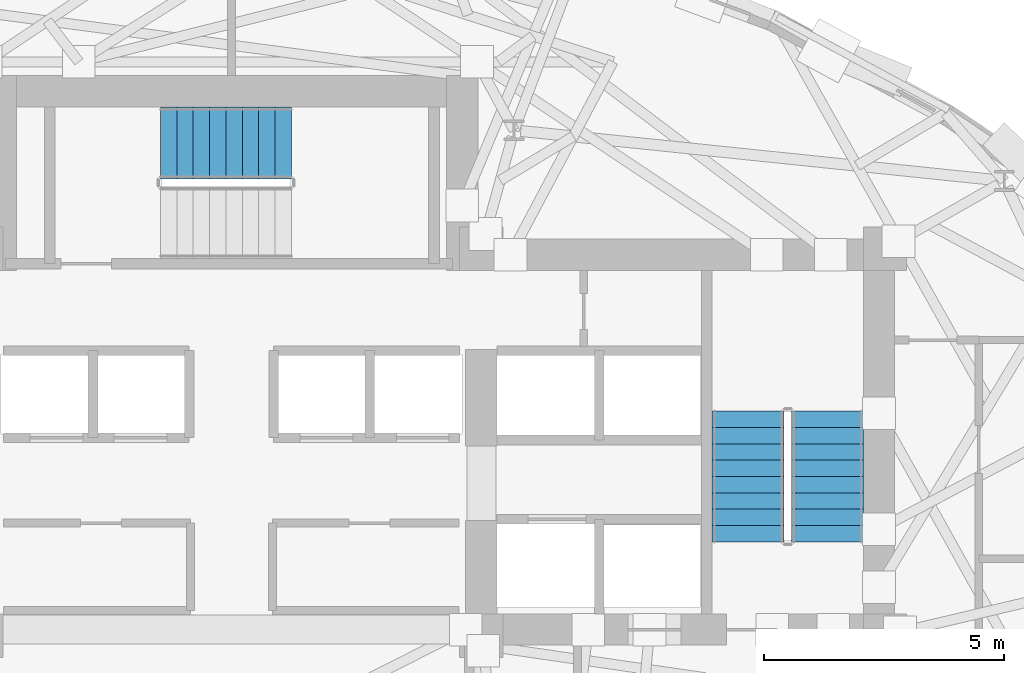
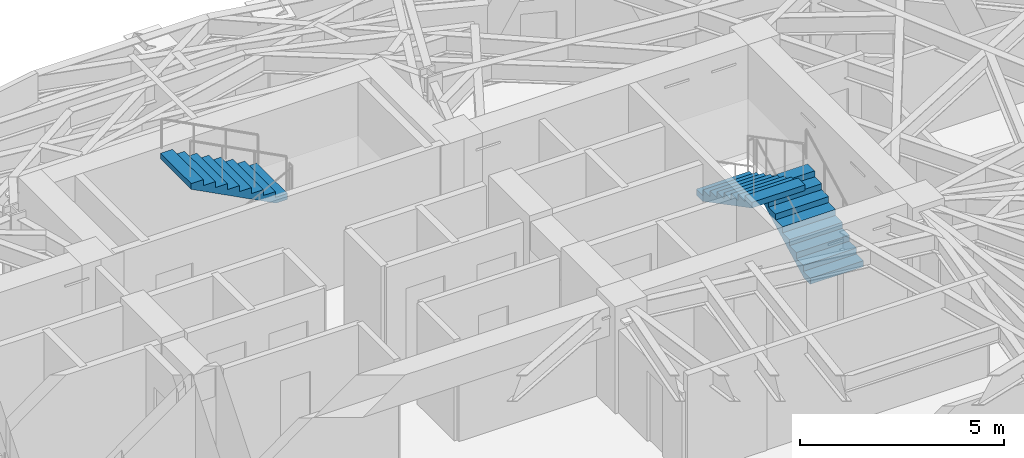
# One storey, part 10 of 14: 3 stair flights, 2 elements without a shape of their own.
"""IFC4 building model written with IfcOpenShell, lengths in metres."""

from ifc_helpers import new_model, si_unit, direction, frame, origin, place, context, subcontext, project, spatial, polyline, outline, extrude, material, type_object, element, aggregate, save


model = new_model("IFC4")

# Units and contexts
model_context = context("Model", 3, precision=1e-05, world=origin(), true_north=direction((0.0, 1.0)))
body_context = subcontext(model_context, "Body", "Model", "MODEL_VIEW")
ifc_project = project(units=[si_unit("LENGTHUNIT", "METRE"), si_unit("AREAUNIT", "SQUARE_METRE"), si_unit("VOLUMEUNIT", "CUBIC_METRE"), si_unit("PLANEANGLEUNIT", "RADIAN"), si_unit("MASSUNIT", "GRAM", prefix="KILO")], contexts=[model_context])

# Site, building, storey
site_placement = place(None, origin())
site = spatial("IfcSite", under=ifc_project, at=site_placement, CompositionType="ELEMENT")
building_placement = place(site_placement, origin())
building = spatial("IfcBuilding", under=site, at=building_placement, Name="Keldmark Tower", CompositionType="ELEMENT")
storey_placement = place(building_placement, frame((0.0, 0.0, 179.0)))
storey = spatial("IfcBuildingStorey", under=building, at=storey_placement, Name="L49", CompositionType="ELEMENT", Elevation=179.0)

# Stair, stair flights
ifc_material_1 = material(Name="Concrete C40/50", Category="concrete")
stair_type = type_object("IfcStairType", Name="Precast Concrete Core Exit Stair", PredefinedType="HALF_TURN_STAIR", material=ifc_material_1)
stair_1_placement = place(storey_placement, origin())
stair_1 = element("IfcStair", 1, at=stair_1_placement, inside=storey, type_object=stair_type, Name="L49 Exit Stair ST2", PredefinedType="HALF_TURN_STAIR")
ifc_material_2 = material(Name="Concrete C40/50", Category="concrete")
stair_flight_type = type_object("IfcStairFlightType", Name="Precast Concrete Stair Flight 1500 mm", PredefinedType="STRAIGHT", material=ifc_material_2)
stair_flight_1_placement = place(storey_placement, frame((12.39990234375, 3.35009765625, 0.0), z_axis=(0.0, 0.0, 1.0), x_axis=(0.0, 1.0, 0.0)))
stair_flight_1 = element("IfcStairFlight", 2, at=stair_flight_1_placement, type_object=stair_flight_type, Name="ST2 flight 1", NumberOfRisers=9, NumberOfTreads=8, PredefinedType="STRAIGHT", RiserHeight=0.177777778, TreadLength=0.34, context=body_context, shape_type="SweptSolid", body=[
    extrude(outline(polyline([(0.0, 0.0), (0.0, 0.177734375), (0.340087890625, 0.177734375), (0.340087890625, 0.35546875), (0.679931640625, 0.35546875), (0.679931640625, 0.533447265625), (1.02001953125, 0.533447265625), (1.02001953125, 0.711181640625), (1.360107421875, 0.711181640625), (1.360107421875, 0.888916015625), (1.699951171875, 0.888916015625), (1.699951171875, 1.066650390625), (2.0400390625, 1.066650390625), (2.0400390625, 1.244384765625), (2.3798828125, 1.244384765625), (2.3798828125, 1.422119140625), (2.719970703125, 1.422119140625), (2.719970703125, 1.60009765625), (2.719970703125, 1.253173828125), (0.323486328125, 0.0), (0.0, 0.0)])), frame((0.0, 0.75, 0.0), z_axis=(0.0, -1.0, 0.0), x_axis=(1.0, 0.0, 0.0)), (0.0, 0.0, 1.0), 1.5),
])
stair_flight_2_placement = place(storey_placement, frame((10.75, 6.070068359375, 1.60009765625), z_axis=(0.0, 0.0, 1.0), x_axis=(0.0, -1.0, 0.0)))
stair_flight_2 = element("IfcStairFlight", 3, at=stair_flight_2_placement, type_object=stair_flight_type, Name="ST2 flight 2", NumberOfRisers=9, NumberOfTreads=8, PredefinedType="STRAIGHT", RiserHeight=0.177777778, TreadLength=0.34, context=body_context, shape_type="SweptSolid", body=[
    extrude(outline(polyline([(0.0, 0.0), (0.0, 0.177734375), (0.340087890625, 0.177734375), (0.340087890625, 0.35546875), (0.679931640625, 0.35546875), (0.679931640625, 0.533447265625), (1.02001953125, 0.533447265625), (1.02001953125, 0.711181640625), (1.360107421875, 0.711181640625), (1.360107421875, 0.888916015625), (1.699951171875, 0.888916015625), (1.699951171875, 1.066650390625), (2.0400390625, 1.066650390625), (2.0400390625, 1.244384765625), (2.3798828125, 1.244384765625), (2.3798828125, 1.422119140625), (2.719970703125, 1.422119140625), (2.719970703125, 1.60009765625), (2.719970703125, 1.253173828125), (0.323486328125, 0.0), (0.0, 0.0)])), frame((0.0, 0.75, 0.0), z_axis=(0.0, -1.0, 0.0), x_axis=(1.0, 0.0, 0.0)), (0.0, 0.0, 1.0), 1.5),
])
aggregate(stair_1, [stair_flight_1, stair_flight_2])

# Stair, stair flight
stair_2_placement = place(storey_placement, origin())
stair_2 = element("IfcStair", 4, at=stair_2_placement, inside=storey, type_object=stair_type, Name="L49 Exit Stair ST3", PredefinedType="HALF_TURN_STAIR")
stair_flight_3_placement = place(storey_placement, frame((1.2451171875, 11.64990234375, 1.60009765625), z_axis=(0.0, 0.0, 1.0), x_axis=(-1.0, 0.0, 0.0)))
stair_flight_3 = element("IfcStairFlight", 5, at=stair_flight_3_placement, type_object=stair_flight_type, Name="ST3 flight 2", NumberOfRisers=9, NumberOfTreads=8, PredefinedType="STRAIGHT", RiserHeight=0.177777778, TreadLength=0.34, context=body_context, shape_type="SweptSolid", body=[
    extrude(outline(polyline([(0.0, 0.0), (0.0, 0.177734375), (0.340087890625, 0.177734375), (0.340087890625, 0.35546875), (0.679931640625, 0.35546875), (0.679931640625, 0.533447265625), (1.02001953125, 0.533447265625), (1.02001953125, 0.711181640625), (1.360107421875, 0.711181640625), (1.360107421875, 0.888916015625), (1.699951171875, 0.888916015625), (1.699951171875, 1.066650390625), (2.0400390625, 1.066650390625), (2.0400390625, 1.244384765625), (2.3798828125, 1.244384765625), (2.3798828125, 1.422119140625), (2.719970703125, 1.422119140625), (2.719970703125, 1.60009765625), (2.719970703125, 1.253173828125), (0.323486328125, 0.0), (0.0, 0.0)])), frame((0.0, 0.75, 0.0), z_axis=(0.0, -1.0, 0.0), x_axis=(1.0, 0.0, 0.0)), (0.0, 0.0, 1.0), 1.5),
])
aggregate(stair_2, [stair_flight_3])

save(model, "model.ifc")
